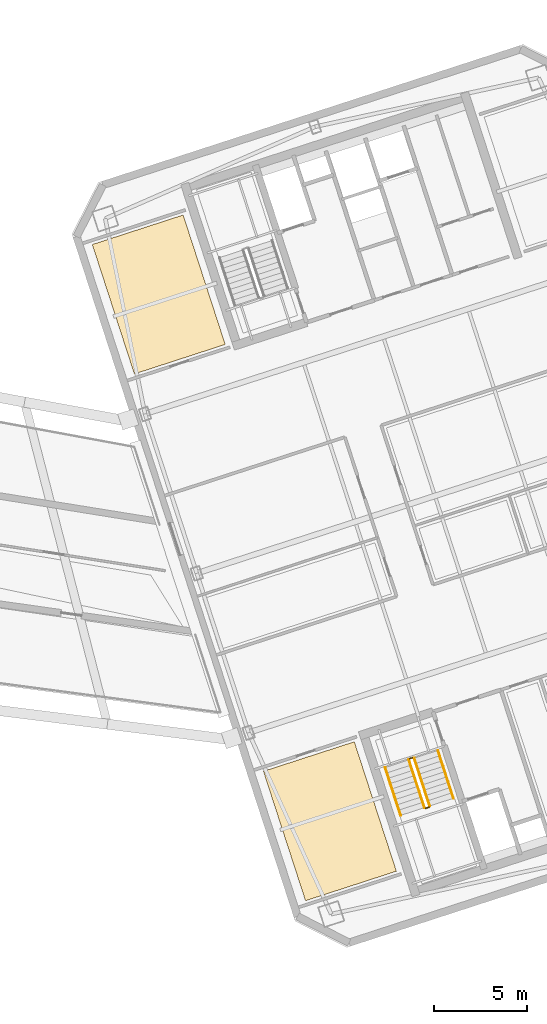
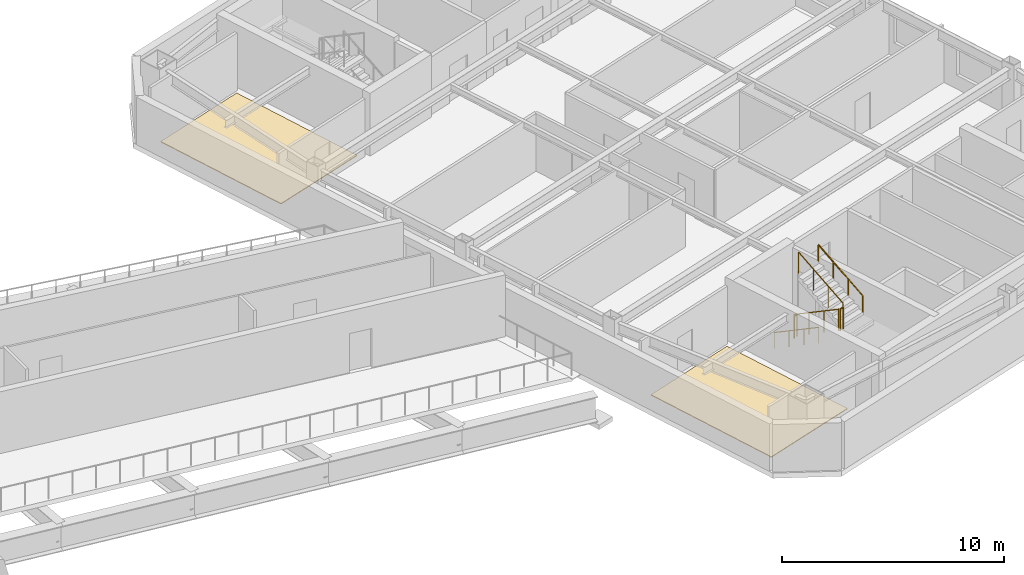
# One storey, part 16 of 18: 6 railings, 2 coverings.
"""IFC4 building model written with IfcOpenShell, lengths in metres."""

from ifc_helpers import new_model, si_unit, direction, frame, origin, origin_2d, place, context, subcontext, project, spatial, polyline, circle, outline, extrude, material, layer, layer_set, type_object, element, save


model = new_model("IFC4")

# Units and contexts
model_context = context("Model", 3, precision=1e-05, world=origin(), true_north=direction((0.0, 1.0)))
body_context = subcontext(model_context, "Body", "Model", "MODEL_VIEW")
ifc_project = project(units=[si_unit("LENGTHUNIT", "METRE"), si_unit("AREAUNIT", "SQUARE_METRE"), si_unit("VOLUMEUNIT", "CUBIC_METRE"), si_unit("PLANEANGLEUNIT", "RADIAN"), si_unit("MASSUNIT", "GRAM", prefix="KILO")], contexts=[model_context])

# Site, building, storey
site_placement = place(None, origin())
site = spatial("IfcSite", under=ifc_project, at=site_placement, CompositionType="ELEMENT")
building_placement = place(site_placement, origin())
building = spatial("IfcBuilding", under=site, at=building_placement, Name="Qiaolan Cultural Towers", CompositionType="ELEMENT")
storey_placement = place(building_placement, frame((0.0, 0.0, 219.64990234375)))
storey = spatial("IfcBuildingStorey", under=building, at=storey_placement, Name="L59", CompositionType="ELEMENT", Elevation=219.64990234375)

# Coverings
ifc_material_1 = material(Name="Honed Terrazzo & Raised Access Flooring", Category="concrete")
ifc_layer = layer(ifc_material_1, 0.0400390625)
ifc_layer_set = layer_set([ifc_layer], Name="Honed Terrazzo & Raised Access Flooring")
covering_type = type_object("IfcCoveringType", Name="COV-FLR-STONE", PredefinedType="FLOORING", material=ifc_layer_set)
covering_1_placement = place(storey_placement, origin())
element("IfcCovering", 1, at=covering_1_placement, inside=storey, type_object=covering_type, Name="L59 Corner Sky Park Cultural Salon Finish Flooring", PredefinedType="FLOORING", context=body_context, shape_type="SweptSolid", body=[
    extrude(outline(polyline([(87.927490234375, 13.843017578125), (85.66845703125, 20.795166015625), (80.78955078125, 19.2099609375), (83.048583984375, 12.2578125), (87.927490234375, 13.843017578125)])), origin(), (0.0, 0.0, 1.0), 0.0400390625),
])
covering_2_placement = place(storey_placement, origin())
element("IfcCovering", 2, at=covering_2_placement, inside=storey, type_object=covering_type, Name="L59 Corner Sky Tea Kitchen Finish Flooring", PredefinedType="FLOORING", context=body_context, shape_type="SweptSolid", body=[
    extrude(outline(polyline([(78.734130859375, 42.136962890625), (76.475341796875, 49.089111328125), (71.596435546875, 47.50390625), (73.855224609375, 40.5517578125), (78.734130859375, 42.136962890625)])), origin(), (0.0, 0.0, 1.0), 0.0400390625),
])

# Railings
ifc_material_2 = material(Name="Galvanized Painted Steel Stair Guardrail", Category="steel")
railing_type_1 = type_object("IfcRailingType", Name="RL-STAIR-GRD", PredefinedType="GUARDRAIL", material=ifc_material_2)
railing_1_placement = place(storey_placement, frame((88.60205078125, 19.82421875, 0.172607421875)))
element("IfcRailing", 3, at=railing_1_placement, inside=storey, type_object=railing_type_1, Name="L59 ST-E1 stair guard 1", PredefinedType="GUARDRAIL", context=body_context, shape_type="SweptSolid", body=[
    extrude(circle(Radius=0.02392578125, at=origin_2d()), frame((0.0, 0.0, 1.17578125), z_axis=(0.267925668498, -0.824471088726, 0.498460891159), x_axis=(0.951043371037, 0.309057448393, 0.0)), (0.0, 0.0, 1.0), 3.114501953125),
    extrude(circle(Radius=0.02099609375, at=origin_2d()), origin(), (0.0, 0.0, 1.0), 1.15185546875),
    extrude(circle(Radius=0.02099609375, at=origin_2d()), frame((0.278076171875, -0.85595703125, 0.517578125)), (0.0, 0.0, 1.0), 1.15185546875),
    extrude(circle(Radius=0.02099609375, at=origin_2d()), frame((0.556396484375, -1.7119140625, 1.034912109375)), (0.0, 0.0, 1.0), 1.15185546875),
    extrude(circle(Radius=0.02099609375, at=origin_2d()), frame((0.83447265625, -2.56787109375, 1.552490234375)), (0.0, 0.0, 1.0), 1.15185546875),
])
railing_2_placement = place(storey_placement, frame((89.49951171875, 17.224365234375, 1.72509765625)))
element("IfcRailing", 4, at=railing_2_placement, inside=storey, type_object=railing_type_1, Name="L59 ST-E1 stair guard 2", PredefinedType="GUARDRAIL", context=body_context, shape_type="SweptSolid", body=[
    extrude(circle(Radius=0.02392578125, at=origin_2d()), frame((0.0, 0.0, 1.17578125), z_axis=(0.951096855055, 0.308892816854, 0.0), x_axis=(-0.308892816854, 0.951096855055, 0.0)), (0.0, 0.0, 1.0), 0.199951171875),
    extrude(circle(Radius=0.02099609375, at=origin_2d()), origin(), (0.0, 0.0, 1.0), 1.15185546875),
    extrude(circle(Radius=0.02099609375, at=origin_2d()), frame((0.190185546875, 0.061767578125, 0.0)), (0.0, 0.0, 1.0), 1.15185546875),
])
railing_3_placement = place(storey_placement, frame((89.721923828125, 17.34912109375, 1.897705078125)))
element("IfcRailing", 5, at=railing_3_placement, inside=storey, type_object=railing_type_1, Name="L59 ST-E1 stair guard 3", PredefinedType="GUARDRAIL", context=body_context, shape_type="SweptSolid", body=[
    extrude(circle(Radius=0.02392578125, at=origin_2d()), frame((0.0, 0.0, 1.17578125), z_axis=(-0.267925668498, 0.824471088726, 0.498460891159), x_axis=(-0.951043371037, -0.309057448393, 0.0)), (0.0, 0.0, 1.0), 3.114501953125),
    extrude(circle(Radius=0.02099609375, at=origin_2d()), origin(), (0.0, 0.0, 1.0), 1.15185546875),
    extrude(circle(Radius=0.02099609375, at=origin_2d()), frame((-0.278076171875, 0.85595703125, 0.517578125)), (0.0, 0.0, 1.0), 1.15185546875),
    extrude(circle(Radius=0.02099609375, at=origin_2d()), frame((-0.556396484375, 1.7119140625, 1.034912109375)), (0.0, 0.0, 1.0), 1.15185546875),
    extrude(circle(Radius=0.02099609375, at=origin_2d()), frame((-0.83447265625, 2.56787109375, 1.552490234375)), (0.0, 0.0, 1.0), 1.15185546875),
])
railing_4_placement = place(storey_placement, frame((88.63427734375, 19.88720703125, 0.0)))
element("IfcRailing", 6, at=railing_4_placement, inside=storey, type_object=railing_type_1, Name="L59 ST-E1 stair guard 4", PredefinedType="GUARDRAIL", context=body_context, shape_type="SweptSolid", body=[
    extrude(circle(Radius=0.02392578125, at=origin_2d()), frame((0.0, 0.0, 1.17578125), z_axis=(0.951096855055, 0.308892816854, 0.0), x_axis=(-0.308892816854, 0.951096855055, 0.0)), (0.0, 0.0, 1.0), 0.199951171875),
    extrude(circle(Radius=0.02099609375, at=origin_2d()), origin(), (0.0, 0.0, 1.0), 1.15185546875),
    extrude(circle(Radius=0.02099609375, at=origin_2d()), frame((0.190185546875, 0.061767578125, 0.0)), (0.0, 0.0, 1.0), 1.15185546875),
])
ifc_material_3 = material(Name="Stainless Steel S30408 Tubular Handrail", Category="steel")
railing_type_2 = type_object("IfcRailingType", Name="RL-STAIR-HR", PredefinedType="HANDRAIL", material=ifc_material_3)
railing_5_placement = place(storey_placement, frame((87.32763671875, 19.41015625, 0.172607421875)))
element("IfcRailing", 7, at=railing_5_placement, inside=storey, type_object=railing_type_2, Name="L59 ST-E1 stair handrail 1", PredefinedType="HANDRAIL", context=body_context, shape_type="SweptSolid", body=[
    extrude(circle(Radius=0.02392578125, at=origin_2d()), frame((0.0, 0.0, 0.8759765625), z_axis=(0.267925668498, -0.824471088726, 0.498460891159), x_axis=(0.951043371037, 0.309057448393, 0.0)), (0.0, 0.0, 1.0), 3.114501953125),
    extrude(circle(Radius=0.02099609375, at=origin_2d()), origin(), (0.0, 0.0, 1.0), 0.851806640625),
    extrude(circle(Radius=0.02099609375, at=origin_2d()), frame((0.278076171875, -0.85595703125, 0.517578125)), (0.0, 0.0, 1.0), 0.851806640625),
    extrude(circle(Radius=0.02099609375, at=origin_2d()), frame((0.556396484375, -1.7119140625, 1.034912109375)), (0.0, 0.0, 1.0), 0.851806640625),
    extrude(circle(Radius=0.02099609375, at=origin_2d()), frame((0.83447265625, -2.56787109375, 1.552490234375)), (0.0, 0.0, 1.0), 0.851806640625),
])
railing_6_placement = place(storey_placement, frame((90.996337890625, 17.76318359375, 1.897705078125)))
element("IfcRailing", 8, at=railing_6_placement, inside=storey, type_object=railing_type_2, Name="L59 ST-E1 stair handrail 2", PredefinedType="HANDRAIL", context=body_context, shape_type="SweptSolid", body=[
    extrude(circle(Radius=0.02392578125, at=origin_2d()), frame((0.0, 0.0, 0.8759765625), z_axis=(-0.267925668498, 0.824471088726, 0.498460891159), x_axis=(-0.951043371037, -0.309057448393, 0.0)), (0.0, 0.0, 1.0), 3.114501953125),
    extrude(circle(Radius=0.02099609375, at=origin_2d()), origin(), (0.0, 0.0, 1.0), 0.851806640625),
    extrude(circle(Radius=0.02099609375, at=origin_2d()), frame((-0.278076171875, 0.85595703125, 0.517578125)), (0.0, 0.0, 1.0), 0.851806640625),
    extrude(circle(Radius=0.02099609375, at=origin_2d()), frame((-0.556396484375, 1.7119140625, 1.034912109375)), (0.0, 0.0, 1.0), 0.851806640625),
    extrude(circle(Radius=0.02099609375, at=origin_2d()), frame((-0.83447265625, 2.56787109375, 1.552490234375)), (0.0, 0.0, 1.0), 0.851806640625),
])

save(model, "model.ifc")
